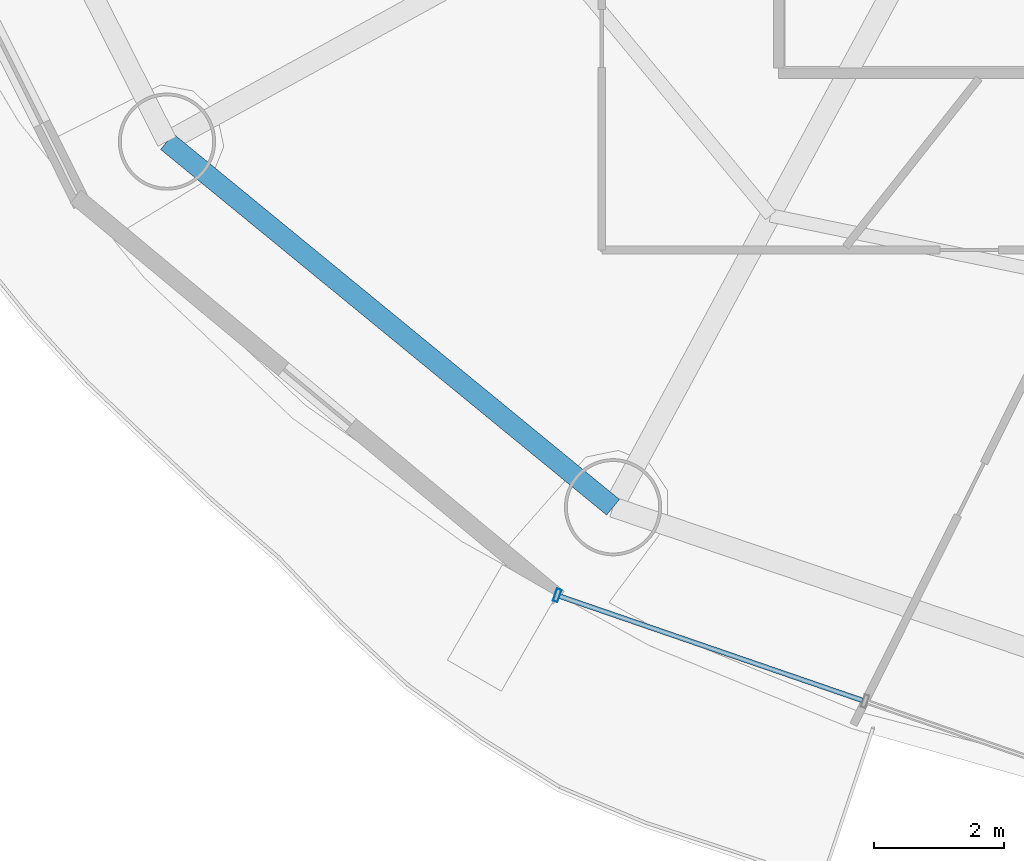
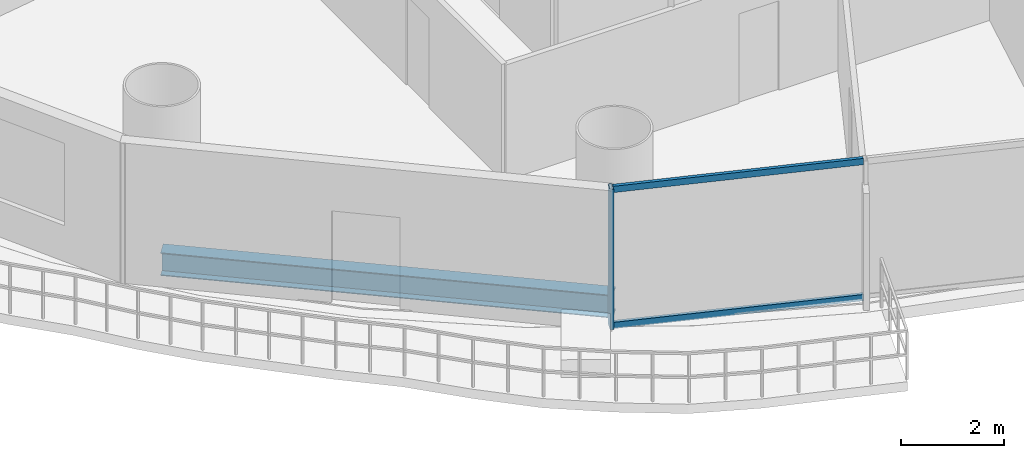
# One storey, part 2 of 29: 3 members, 1 beam, 1 element without a shape of its own.
"""IFC4 building model written with IfcOpenShell, lengths in metres."""

from ifc_helpers import new_model, si_unit, direction, frame, origin, origin_2d, place, context, subcontext, project, spatial, hollow_rectangle, i_section, extrude, source, transform, mapped, material, material_profile, profile_set, type_object, element, aggregate, save


model = new_model("IFC4")

# Units and contexts
model_context = context("Model", 3, precision=1e-05, world=origin(), true_north=direction((-0.2419218956, 0.970295726276)))
body_context = subcontext(model_context, "Body", "Model", "MODEL_VIEW")
ifc_project = project(units=[si_unit("LENGTHUNIT", "METRE"), si_unit("AREAUNIT", "SQUARE_METRE"), si_unit("VOLUMEUNIT", "CUBIC_METRE"), si_unit("PLANEANGLEUNIT", "RADIAN"), si_unit("MASSUNIT", "GRAM", prefix="KILO")], contexts=[model_context])

# Site, building, storey
site_placement = place(None, origin())
site = spatial("IfcSite", under=ifc_project, at=site_placement, CompositionType="ELEMENT")
building_placement = place(site_placement, origin())
building = spatial("IfcBuilding", under=site, at=building_placement, Name="Cobrevalo Terracotta Tower", CompositionType="ELEMENT")
storey_placement = place(building_placement, frame((0.0, 0.0, 87.0)))
storey = spatial("IfcBuildingStorey", under=building, at=storey_placement, Name="L22", CompositionType="ELEMENT", Elevation=87.0)

# Beam
ifc_material_1 = material(Name="Steel S355", Category="steel")
ifc_material_profile_1 = material_profile(ifc_material_1, i_section(OverallWidth=0.31201171875, OverallDepth=0.54296875, WebThickness=0.0126953125, FlangeThickness=0.020263671875, at=origin_2d()), Name="W 530x150")
ifc_profile_set_1 = profile_set([ifc_material_profile_1], Name="Steel S355")
beam_type = type_object("IfcBeamType", Name="Structural Spandrel W 530x150 (Steel S355)", PredefinedType="SPANDREL", material=ifc_profile_set_1)
beam_placement = place(storey_placement, frame((17.2548828125, 15.4384765625, -0.54638671875), z_axis=(0.773400923541, -0.633917196064, 0.0), x_axis=(0.633917196064, 0.773400923541, 0.0)))
element("IfcBeam", 1, at=beam_placement, inside=storey, type_object=beam_type, Name="L22 perimeter ring spandrel 10", PredefinedType="SPANDREL", context=body_context, shape_type="SweptSolid", body=[
    extrude(i_section(OverallWidth=0.31201171875, OverallDepth=0.54296875, WebThickness=0.0126953125, FlangeThickness=0.020263671875, at=origin_2d()), origin(), (0.0, 0.0, 1.0), 8.900390625),
])

# Curtain wall, members
ifc_material_2 = material(Name="Anodized aluminium", Category="aluminium")
curtain_wall_type = type_object("IfcCurtainWallType", Name="Lower-tower unitised acoustic low-E curtain wall CW-U1", PredefinedType="NOTDEFINED", material=ifc_material_2)
curtain_wall_placement = place(storey_placement, origin())
curtain_wall = element("IfcCurtainWall", 2, at=curtain_wall_placement, inside=storey, type_object=curtain_wall_type, Name="L22 curtain wall CW-L22-S11", PredefinedType="NOTDEFINED")
ifc_material_profile_2 = material_profile(ifc_material_2, hollow_rectangle(XDim=0.074951171875, YDim=0.199951171875, WallThickness=0.0048828125, at=origin_2d()), Name="CWM 75x200")
ifc_profile_set_2 = profile_set([ifc_material_profile_2], Name="Anodized aluminium")
member_type_1 = type_object("IfcMemberType", Name="Lower/mid tower unitised mullion 75x200", PredefinedType="MULLION", material=ifc_profile_set_2)
shared_shape_1 = source(origin(), body_context, "Body", "SweptSolid", [
    extrude(hollow_rectangle(XDim=0.074951171875, YDim=0.199951171875, WallThickness=0.0048828125, at=origin_2d()), origin(), (0.0, 0.0, 1.0), 3.324951171875),
])
member_1_placement = place(storey_placement, frame((23.2763671875, 8.4365234375, 0.0), z_axis=(0.0, 0.0, 1.0), x_axis=(0.94559809868, -0.325337110968, 0.0)))
member_1 = element("IfcMember", 3, at=member_1_placement, type_object=member_type_1, Name="CW-L22-S11 vertical mullion 01", PredefinedType="MULLION", context=body_context, shape_type="MappedRepresentation", body=[
    mapped(shared_shape_1, transform((0.0, 0.0, 0.0), scale=1.0)),
])
ifc_material_profile_3 = material_profile(ifc_material_2, hollow_rectangle(XDim=0.074951171875, YDim=0.14990234375, WallThickness=0.00439453125, at=origin_2d()), Name="CWT 75x150")
ifc_profile_set_3 = profile_set([ifc_material_profile_3], Name="Anodized aluminium")
member_type_2 = type_object("IfcMemberType", Name="Tower unitised aluminium transom 75x150", PredefinedType="USERDEFINED", material=ifc_profile_set_3)
shared_shape_2 = source(origin(), body_context, "Body", "SweptSolid", [
    extrude(hollow_rectangle(XDim=0.074951171875, YDim=0.14990234375, WallThickness=0.00439453125, at=origin_2d()), origin(), (0.0, 0.0, 1.0), 4.944580078125),
])
member_2_placement = place(storey_placement, frame((23.314208984375, 8.42333984375, 0.050048828125), z_axis=(0.945597859971, -0.32533780478, 0.0), x_axis=(0.32533780478, 0.945597859971, 0.0)))
member_2 = element("IfcMember", 4, at=member_2_placement, type_object=member_type_2, Name="CW-L22-S11 transom B01-T1", ObjectType="TRANSOM", PredefinedType="USERDEFINED", context=body_context, shape_type="MappedRepresentation", body=[
    mapped(shared_shape_2, transform((0.0, 0.0, 0.0), scale=1.0)),
])
member_3_placement = place(storey_placement, frame((23.314208984375, 8.42333984375, 3.27490234375), z_axis=(0.945597859971, -0.32533780478, 0.0), x_axis=(0.32533780478, 0.945597859971, 0.0)))
member_3 = element("IfcMember", 5, at=member_3_placement, type_object=member_type_2, Name="CW-L22-S11 transom B01-T2", ObjectType="TRANSOM", PredefinedType="USERDEFINED", context=body_context, shape_type="MappedRepresentation", body=[
    mapped(shared_shape_2, transform((0.0, 0.0, 0.0), scale=1.0)),
])
aggregate(curtain_wall, [member_1, member_2, member_3])

save(model, "model.ifc")
